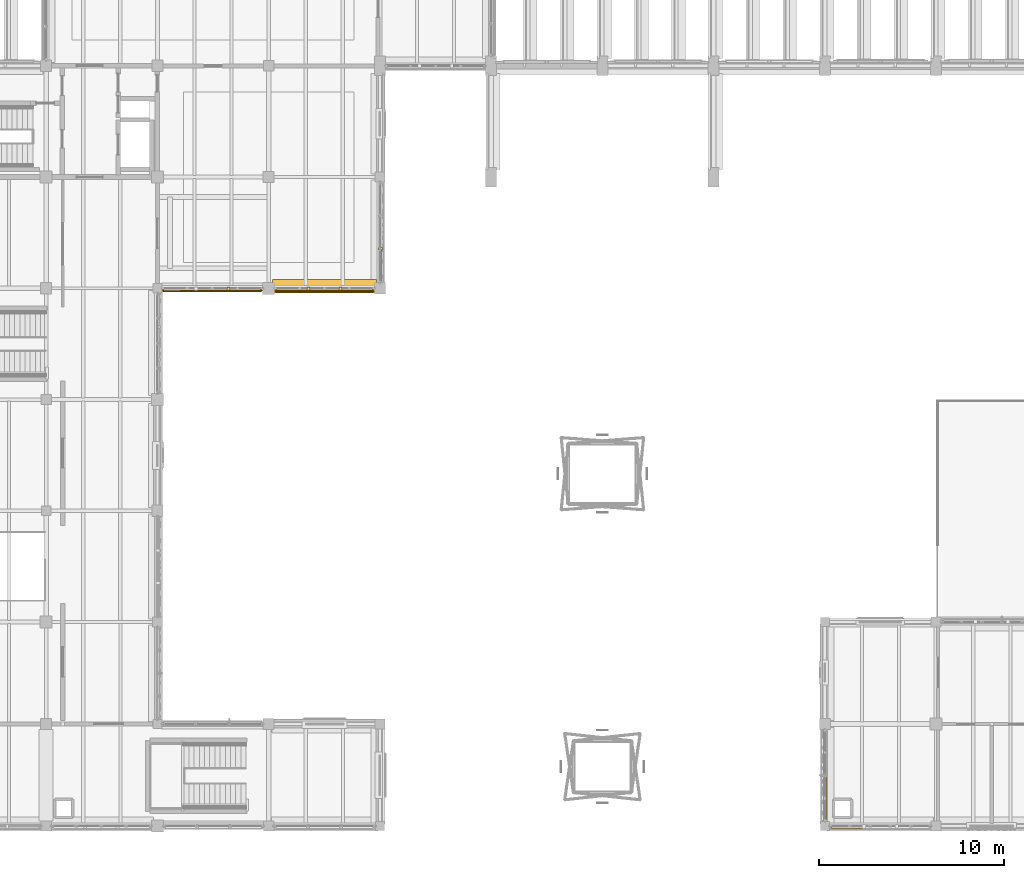
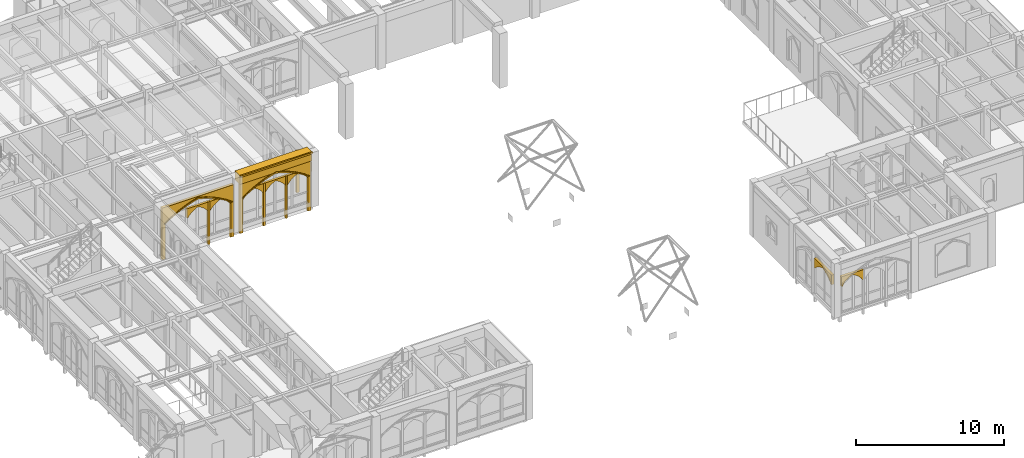
# One storey, part 109 of 127: 18 coverings.
"""IFC4 building model written with IfcOpenShell, lengths in metres."""

from ifc_helpers import new_model, si_unit, direction, frame, origin, origin_2d, place, context, subcontext, project, spatial, polyline, rectangle, outline, extrude, material, type_object, element, save


model = new_model("IFC4")

# Units and contexts
model_context = context("Model", 3, precision=1e-05, world=origin(), true_north=direction((0.0, 1.0)))
body_context = subcontext(model_context, "Body", "Model", "MODEL_VIEW")
ifc_project = project(units=[si_unit("LENGTHUNIT", "METRE"), si_unit("AREAUNIT", "SQUARE_METRE"), si_unit("VOLUMEUNIT", "CUBIC_METRE"), si_unit("PLANEANGLEUNIT", "RADIAN"), si_unit("MASSUNIT", "GRAM", prefix="KILO")], contexts=[model_context])

# Site, building, storey
site_placement = place(None, origin())
site = spatial("IfcSite", under=ifc_project, at=site_placement, CompositionType="ELEMENT")
building_placement = place(site_placement, origin())
building = spatial("IfcBuilding", under=site, at=building_placement, Name="Cumevento Cable Car Station", CompositionType="ELEMENT")
storey_placement = place(building_placement, frame((0.0, 0.0, 4.5)))
storey = spatial("IfcBuildingStorey", under=building, at=storey_placement, Name="L02", CompositionType="ELEMENT", Elevation=4.5)

# Coverings
ifc_material = material(Name="Gnaisse Facoidal Stone Ashlar 85 MPa", Category="masonry")
covering_type = type_object("IfcCoveringType", Name="Gnaisse Ashlar Cladding CV-CL01", PredefinedType="CLADDING", material=ifc_material)
covering_1_placement = place(storey_placement, frame((79.012451171875, 33.14990234375, 3.760986328125), z_axis=(0.0, 0.0, 1.0), x_axis=(-1.0, 0.0, 0.0)))
element("IfcCovering", 1, at=covering_1_placement, inside=storey, type_object=covering_type, Name="Gothic Stone Spandrel Stringcourse sc:0331", PredefinedType="CLADDING", context=body_context, shape_type="SweptSolid", body=[
    extrude(rectangle(XDim=5.614990234375, YDim=0.659912109375, at=origin_2d()), origin(), (0.0, 0.0, 1.0), 0.7470703125),
])
covering_2_placement = place(storey_placement, frame((79.012451171875, 32.79248046875, 4.378173828125), z_axis=(0.0, 0.0, 1.0), x_axis=(-1.0, 0.0, 0.0)))
element("IfcCovering", 2, at=covering_2_placement, inside=storey, type_object=covering_type, Name="Gothic Cornice Dripstone Lip sc:0331", PredefinedType="CLADDING", context=body_context, shape_type="SweptSolid", body=[
    extrude(rectangle(XDim=5.655029296875, YDim=0.114990234375, at=origin_2d()), origin(), (0.0, 0.0, 1.0), 0.1298828125),
])
covering_3_placement = place(storey_placement, frame((108.058349609375, 4.0, 2.337158203125), z_axis=(0.0, 0.0, 1.0), x_axis=(-1.0, 0.0, 0.0)))
element("IfcCovering", 3, at=covering_3_placement, inside=storey, type_object=covering_type, Name="Gothic Ogival Pointed-Arch Stone Spandrel cw_ogival:0032:sub:2", PredefinedType="CLADDING", context=body_context, shape_type="SweptSolid", body=[
    extrude(outline(polyline([(-0.02001953125, 0.0), (-0.02001953125, 0.80712890625), (1.6982421875, 0.80712890625), (1.6982421875, 0.0), (1.638427734375, 0.0), (1.5390625, 0.148681640625), (1.42431640625, 0.28564453125), (1.295166015625, 0.409423828125), (1.153564453125, 0.518310546875), (1.0009765625, 0.611328125), (0.839111328125, 0.68701171875), (0.67724609375, 0.611328125), (0.524658203125, 0.518310546875), (0.383056640625, 0.409423828125), (0.25390625, 0.28564453125), (0.13916015625, 0.148681640625), (0.0400390625, 0.0), (-0.02001953125, 0.0)])), frame((0.0, 0.1240234375, 0.0), z_axis=(0.0, -1.0, 0.0), x_axis=(1.0, 0.0, 0.0)), (0.0, 0.0, 1.0), 0.199951171875),
])
covering_4_placement = place(storey_placement, frame((106.0, 4.3798828125, 2.373046875), z_axis=(0.0, 0.0, 1.0), x_axis=(0.0, 1.0, 0.0)))
element("IfcCovering", 4, at=covering_4_placement, inside=storey, type_object=covering_type, Name="Gothic Ogival Pointed-Arch Stone Spandrel cw_ogival:0034:sub:0", PredefinedType="CLADDING", context=body_context, shape_type="SweptSolid", body=[
    extrude(outline(polyline([(-0.02001953125, 0.0), (-0.02001953125, 0.788330078125), (2.320068359375, 0.788330078125), (2.320068359375, 0.0), (2.260009765625, 0.0), (2.100341796875, 0.148681640625), (1.928955078125, 0.283447265625), (1.746826171875, 0.40380859375), (1.555419921875, 0.50830078125), (1.356201171875, 0.5966796875), (1.14990234375, 0.668212890625), (0.94384765625, 0.5966796875), (0.74462890625, 0.50830078125), (0.55322265625, 0.40380859375), (0.37109375, 0.283447265625), (0.19970703125, 0.148681640625), (0.0400390625, 0.0), (-0.02001953125, 0.0)])), frame((0.0, 0.1240234375, 0.0), z_axis=(0.0, -1.0, 0.0), x_axis=(1.0, 0.0, 0.0)), (0.0, 0.0, 1.0), 0.199951171875),
])
placement_1 = place(storey_placement, frame((75.675048828125, 33.0, -0.3701171875), z_axis=(0.0, 0.0, 1.0), x_axis=(-1.0, 0.0, 0.0)))
element("IfcCovering", 5, at=placement_1, inside=storey, type_object=covering_type, Name="Gothic Ogival Pointed-Arch Stone Spandrel cw_ogival:0043", PredefinedType="CLADDING", context=body_context, shape_type="SweptSolid", body=[
    extrude(outline(polyline([(-0.080078125, 0.0), (-0.080078125, 4.27099609375), (5.5048828125, 4.27099609375), (5.5048828125, 0.0), (5.264892578125, 0.0), (5.264892578125, 2.927001953125), (4.972900390625, 3.123046875), (4.671630859375, 3.3046875), (4.36181640625, 3.471435546875), (4.04443359375, 3.623046875), (3.719970703125, 3.759033203125), (3.389404296875, 3.87939453125), (3.05322265625, 3.9833984375), (2.71240234375, 4.071044921875), (2.371826171875, 3.9833984375), (2.03564453125, 3.87939453125), (1.705078125, 3.759033203125), (1.380615234375, 3.623046875), (1.063232421875, 3.471435546875), (0.75341796875, 3.3046875), (0.4521484375, 3.123046875), (0.159912109375, 2.927001953125), (0.159912109375, 0.0), (-0.080078125, 0.0)])), frame((0.0, 0.139892578125, 0.0), z_axis=(0.0, -1.0, 0.0), x_axis=(1.0, 0.0, 0.0)), (0.0, 0.0, 1.0), 0.219970703125),
])
covering_6_placement = place(storey_placement, frame((75.675048828125, 33.0, 2.556884765625), z_axis=(0.0, 0.0, 1.0), x_axis=(-1.0, 0.0, 0.0)))
element("IfcCovering", 6, at=covering_6_placement, inside=storey, type_object=covering_type, Name="Gothic Pointed Archivolt Hood Moulding cw_ogival:0043", PredefinedType="CLADDING", context=body_context, shape_type="SweptSolid", body=[
    extrude(outline(polyline([(0.159912109375, 0.0), (0.4521484375, 0.196044921875), (0.75341796875, 0.377685546875), (1.063232421875, 0.54443359375), (1.380615234375, 0.696044921875), (1.705078125, 0.83203125), (2.03564453125, 0.952392578125), (2.371826171875, 1.056396484375), (2.71240234375, 1.14404296875), (3.05322265625, 1.056396484375), (3.389404296875, 0.952392578125), (3.719970703125, 0.83203125), (4.04443359375, 0.696044921875), (4.36181640625, 0.54443359375), (4.671630859375, 0.377685546875), (4.972900390625, 0.196044921875), (5.264892578125, 0.0), (5.375, 0.0), (5.07421875, 0.218994140625), (4.7626953125, 0.421875), (4.44091796875, 0.608642578125), (4.110107421875, 0.778564453125), (3.77099609375, 0.93115234375), (3.42431640625, 1.066162109375), (3.0712890625, 1.18310546875), (2.71240234375, 1.281494140625), (2.353759765625, 1.18310546875), (2.000732421875, 1.066162109375), (1.654052734375, 0.93115234375), (1.31494140625, 0.778564453125), (0.984130859375, 0.608642578125), (0.662353515625, 0.421875), (0.350830078125, 0.218994140625), (0.050048828125, 0.0), (0.159912109375, 0.0)])), frame((0.0, 0.181884765625, 0.0), z_axis=(0.0, -1.0, 0.0), x_axis=(1.0, 0.0, 0.0)), (0.0, 0.0, 1.0), 0.06689453125),
])
element("IfcCovering", 7, at=placement_1, inside=storey, type_object=covering_type, Name="Gothic Bifora Stone Colonnette cw_ogival:0043 #1", PredefinedType="CLADDING", context=body_context, shape_type="SweptSolid", body=[
    extrude(outline(polyline([(1.76171875, -0.02001953125), (1.91162109375, -0.02001953125), (1.91162109375, 3.52197265625), (1.76171875, 3.52197265625), (1.76171875, -0.02001953125)])), frame((0.0, 0.1279296875, 0.0), z_axis=(0.0, -1.0, 0.0), x_axis=(1.0, 0.0, 0.0)), (0.0, 0.0, 1.0), 0.205078125),
])
for number, where, z_axis, x_axis, name in (
    (8, (75.544921875, 33.0, 2.376953125), (0.0, 0.0, 1.0), (-1.0, 0.0, 0.0), "Gothic Ogival Pointed-Arch Stone Spandrel cw_ogival:0043:sub:0"),
    (9, (73.793212890625, 33.0, 2.376953125), (0.0, 0.0, 1.0), (-1.0, 0.0, 0.0), "Gothic Ogival Pointed-Arch Stone Spandrel cw_ogival:0043:sub:1"),
):
    element("IfcCovering", number, at=place(storey_placement, frame(where, z_axis=z_axis, x_axis=x_axis)), inside=storey, type_object=covering_type, Name=name, PredefinedType="CLADDING", context=body_context, shape_type="SweptSolid", body=[
        extrude(outline(polyline([(-0.02001953125, 0.0), (-0.02001953125, 0.77490234375), (1.681640625, 0.77490234375), (1.681640625, 0.0), (1.62158203125, 0.0), (1.521484375, 0.14208984375), (1.40673828125, 0.27294921875), (1.27880859375, 0.390869140625), (1.13916015625, 0.49462890625), (0.9892578125, 0.5830078125), (0.830810546875, 0.65478515625), (0.67236328125, 0.5830078125), (0.5224609375, 0.49462890625), (0.3828125, 0.390869140625), (0.2548828125, 0.27294921875), (0.14013671875, 0.14208984375), (0.0400390625, 0.0), (-0.02001953125, 0.0)])), frame((0.0, 0.1240234375, 0.0), z_axis=(0.0, -1.0, 0.0), x_axis=(1.0, 0.0, 0.0)), (0.0, 0.0, 1.0), 0.199951171875),
    ])
placement_2 = place(storey_placement, frame((81.699951171875, 33.0, -0.320068359375), z_axis=(0.0, 0.0, 1.0), x_axis=(-1.0, 0.0, 0.0)))
element("IfcCovering", 10, at=placement_2, inside=storey, type_object=covering_type, Name="Gothic Ogival Pointed-Arch Stone Spandrel cw_ogival:0044", PredefinedType="CLADDING", context=body_context, shape_type="SweptSolid", body=[
    extrude(outline(polyline([(-0.080078125, 0.0), (-0.080078125, 4.220947265625), (5.455078125, 4.220947265625), (5.455078125, 0.0), (5.215087890625, 0.0), (5.215087890625, 2.89501953125), (4.92529296875, 3.087890625), (4.626953125, 3.266845703125), (4.320068359375, 3.430908203125), (4.005615234375, 3.580322265625), (3.6845703125, 3.714111328125), (3.357177734375, 3.83251953125), (3.024658203125, 3.934814453125), (2.6875, 4.02099609375), (2.350341796875, 3.934814453125), (2.017822265625, 3.83251953125), (1.6904296875, 3.714111328125), (1.369384765625, 3.580322265625), (1.054931640625, 3.430908203125), (0.748046875, 3.266845703125), (0.44970703125, 3.087890625), (0.159912109375, 2.89501953125), (0.159912109375, 0.0), (-0.080078125, 0.0)])), frame((0.0, 0.139892578125, 0.0), z_axis=(0.0, -1.0, 0.0), x_axis=(1.0, 0.0, 0.0)), (0.0, 0.0, 1.0), 0.219970703125),
])
covering_9_placement = place(storey_placement, frame((81.699951171875, 33.0, 2.574951171875), z_axis=(0.0, 0.0, 1.0), x_axis=(-1.0, 0.0, 0.0)))
element("IfcCovering", 11, at=covering_9_placement, inside=storey, type_object=covering_type, Name="Gothic Pointed Archivolt Hood Moulding cw_ogival:0044", PredefinedType="CLADDING", context=body_context, shape_type="SweptSolid", body=[
    extrude(outline(polyline([(0.159912109375, 0.0), (0.44970703125, 0.19287109375), (0.748046875, 0.371826171875), (1.054931640625, 0.535888671875), (1.369384765625, 0.685302734375), (1.6904296875, 0.819091796875), (2.017822265625, 0.9375), (2.350341796875, 1.039794921875), (2.6875, 1.1259765625), (3.024658203125, 1.039794921875), (3.357177734375, 0.9375), (3.6845703125, 0.819091796875), (4.005615234375, 0.685302734375), (4.320068359375, 0.535888671875), (4.626953125, 0.371826171875), (4.92529296875, 0.19287109375), (5.215087890625, 0.0), (5.324951171875, 0.0), (5.02685546875, 0.2158203125), (4.718017578125, 0.416015625), (4.399169921875, 0.600341796875), (4.0712890625, 0.767822265625), (3.7353515625, 0.918212890625), (3.39208984375, 1.05126953125), (3.04248046875, 1.16650390625), (2.6875, 1.263427734375), (2.33251953125, 1.16650390625), (1.98291015625, 1.05126953125), (1.6396484375, 0.918212890625), (1.3037109375, 0.767822265625), (0.975830078125, 0.600341796875), (0.656982421875, 0.416015625), (0.34814453125, 0.2158203125), (0.050048828125, 0.0), (0.159912109375, 0.0)])), frame((0.0, 0.181884765625, 0.0), z_axis=(0.0, -1.0, 0.0), x_axis=(1.0, 0.0, 0.0)), (0.0, 0.0, 1.0), 0.06689453125),
])
element("IfcCovering", 12, at=placement_2, inside=storey, type_object=covering_type, Name="Gothic Bifora Stone Colonnette cw_ogival:0044 #1", PredefinedType="CLADDING", context=body_context, shape_type="SweptSolid", body=[
    extrude(outline(polyline([(1.7451171875, -0.02001953125), (1.89501953125, -0.02001953125), (1.89501953125, 3.48046875), (1.7451171875, 3.48046875), (1.7451171875, -0.02001953125)])), frame((0.0, 0.1279296875, 0.0), z_axis=(0.0, -1.0, 0.0), x_axis=(1.0, 0.0, 0.0)), (0.0, 0.0, 1.0), 0.205078125),
])
element("IfcCovering", 13, at=placement_2, inside=storey, type_object=covering_type, Name="Gothic Bifora Stone Colonnette cw_ogival:0044 #2", PredefinedType="CLADDING", context=body_context, shape_type="SweptSolid", body=[
    extrude(outline(polyline([(3.47998046875, -0.02001953125), (3.6298828125, -0.02001953125), (3.6298828125, 3.48046875), (3.47998046875, 3.48046875), (3.47998046875, -0.02001953125)])), frame((0.0, 0.1279296875, 0.0), z_axis=(0.0, -1.0, 0.0), x_axis=(1.0, 0.0, 0.0)), (0.0, 0.0, 1.0), 0.205078125),
])
for number, where, z_axis, x_axis, name in (
    (14, (81.570068359375, 33.0, 2.39501953125), (0.0, 0.0, 1.0), (-1.0, 0.0, 0.0), "Gothic Ogival Pointed-Arch Stone Spandrel cw_ogival:0044:sub:0"),
    (15, (79.8349609375, 33.0, 2.39501953125), (0.0, 0.0, 1.0), (-1.0, 0.0, 0.0), "Gothic Ogival Pointed-Arch Stone Spandrel cw_ogival:0044:sub:1"),
    (16, (78.10009765625, 33.0, 2.39501953125), (0.0, 0.0, 1.0), (-1.0, 0.0, 0.0), "Gothic Ogival Pointed-Arch Stone Spandrel cw_ogival:0044:sub:2"),
):
    element("IfcCovering", number, at=place(storey_placement, frame(where, z_axis=z_axis, x_axis=x_axis)), inside=storey, type_object=covering_type, Name=name, PredefinedType="CLADDING", context=body_context, shape_type="SweptSolid", body=[
        extrude(outline(polyline([(-0.02001953125, 0.0), (-0.02001953125, 0.765380859375), (1.6650390625, 0.765380859375), (1.6650390625, 0.0), (1.60498046875, 0.0), (1.505615234375, 0.14013671875), (1.39208984375, 0.26904296875), (1.265380859375, 0.38525390625), (1.127197265625, 0.487548828125), (0.97900390625, 0.57470703125), (0.822509765625, 0.6455078125), (0.666015625, 0.57470703125), (0.517822265625, 0.487548828125), (0.379638671875, 0.38525390625), (0.2529296875, 0.26904296875), (0.139404296875, 0.14013671875), (0.0400390625, 0.0), (-0.02001953125, 0.0)])), frame((0.0, 0.1240234375, 0.0), z_axis=(0.0, -1.0, 0.0), x_axis=(1.0, 0.0, 0.0)), (0.0, 0.0, 1.0), 0.199951171875),
    ])
covering_12_placement = place(storey_placement, frame((82.0, 38.72509765625, -0.27001953125), z_axis=(0.0, 0.0, 1.0), x_axis=(0.0, -1.0, 0.0)))
element("IfcCovering", 17, at=covering_12_placement, inside=storey, type_object=covering_type, Name="Gothic Bifora Stone Colonnette cw_ogival:0045 #2", PredefinedType="CLADDING", context=body_context, shape_type="SweptSolid", body=[
    extrude(outline(polyline([(3.513427734375, -0.02001953125), (3.663330078125, -0.02001953125), (3.663330078125, 3.439208984375), (3.513427734375, 3.439208984375), (3.513427734375, -0.02001953125)])), frame((0.0, 0.1279296875, 0.0), z_axis=(0.0, -1.0, 0.0), x_axis=(1.0, 0.0, 0.0)), (0.0, 0.0, 1.0), 0.205078125),
])
covering_13_placement = place(storey_placement, frame((82.0, 35.091552734375, 2.4130859375), z_axis=(0.0, 0.0, 1.0), x_axis=(0.0, -1.0, 0.0)))
element("IfcCovering", 18, at=covering_13_placement, inside=storey, type_object=covering_type, Name="Gothic Ogival Pointed-Arch Stone Spandrel cw_ogival:0045:sub:2", PredefinedType="CLADDING", context=body_context, shape_type="SweptSolid", body=[
    extrude(outline(polyline([(-0.02001953125, 0.0), (-0.02001953125, 0.756103515625), (1.681640625, 0.756103515625), (1.681640625, 0.0), (1.62158203125, 0.0), (1.519775390625, 0.138427734375), (1.404296875, 0.265625), (1.276123046875, 0.380126953125), (1.136962890625, 0.48095703125), (0.98779296875, 0.56640625), (0.830810546875, 0.63623046875), (0.673828125, 0.56640625), (0.524658203125, 0.48095703125), (0.385498046875, 0.380126953125), (0.25732421875, 0.265625), (0.141845703125, 0.138427734375), (0.0400390625, 0.0), (-0.02001953125, 0.0)])), frame((0.0, 0.1240234375, 0.0), z_axis=(0.0, -1.0, 0.0), x_axis=(1.0, 0.0, 0.0)), (0.0, 0.0, 1.0), 0.199951171875),
])

save(model, "model.ifc")
